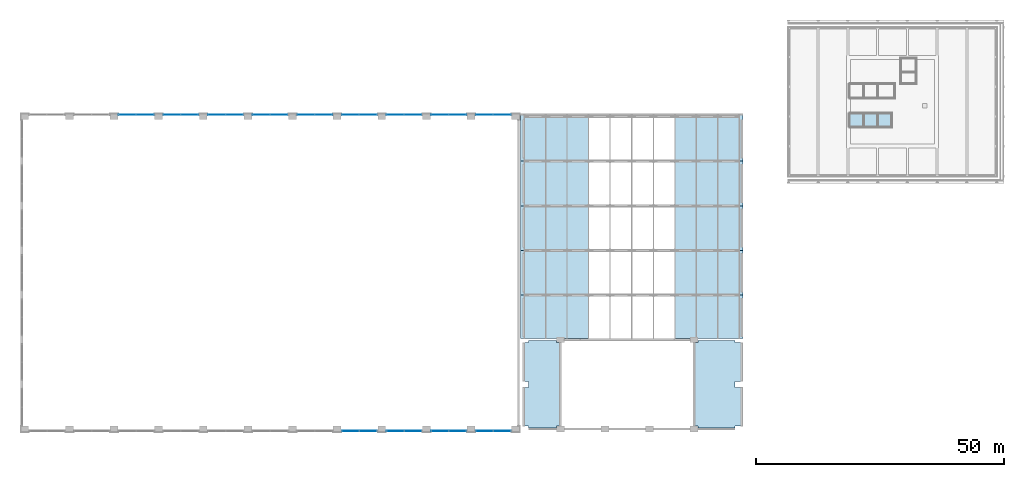
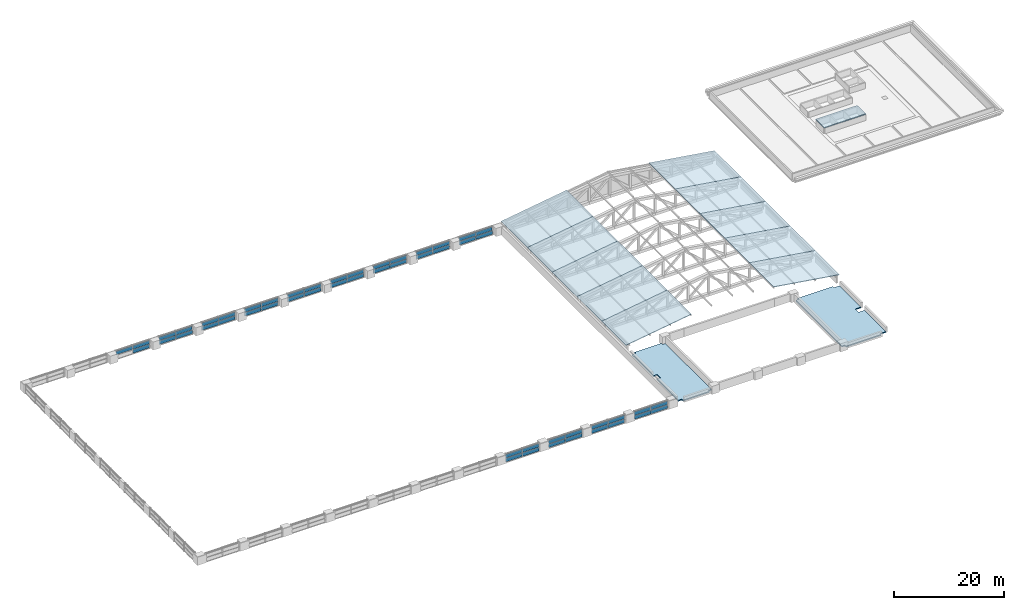
# One storey, part 16 of 32: 51 plates, 13 slabs, 13 elements without a shape of their own.
"""IFC4 building model written with IfcOpenShell, lengths in metres."""

from ifc_helpers import new_model, si_unit, direction, frame, origin, origin_2d, place, context, subcontext, project, spatial, polyline, rectangle, outline, extrude, material, layer, layer_set, type_object, element, aggregate, save


model = new_model("IFC4")

# Units and contexts
model_context = context("Model", 3, precision=1e-05, world=origin(), true_north=direction((0.0, 1.0)))
body_context = subcontext(model_context, "Body", "Model", "MODEL_VIEW")
ifc_project = project(units=[si_unit("LENGTHUNIT", "METRE"), si_unit("AREAUNIT", "SQUARE_METRE"), si_unit("VOLUMEUNIT", "CUBIC_METRE"), si_unit("PLANEANGLEUNIT", "RADIAN"), si_unit("MASSUNIT", "GRAM", prefix="KILO")], contexts=[model_context])

# Site, building, storey
site_placement = place(None, origin())
site = spatial("IfcSite", under=ifc_project, at=site_placement, CompositionType="ELEMENT")
building_placement = place(site_placement, origin())
building = spatial("IfcBuilding", under=site, at=building_placement, Name="Aravalli Gate Trade Fair Centre", CompositionType="ELEMENT")
storey_placement = place(building_placement, frame((0.0, 0.0, 23.39990234375)))
storey = spatial("IfcBuildingStorey", under=building, at=storey_placement, Name="ROOF LEVEL 1", CompositionType="ELEMENT", Elevation=23.39990234375)

# Slabs
ifc_material_1 = material(Name="Steel E350 (350 MPa)", Category="steel")
ifc_layer_1 = layer(ifc_material_1, 0.1201171875)
ifc_layer_set_1 = layer_set([ifc_layer_1], Name="Steel E350 (350 MPa)")
slab_type_1 = type_object("IfcSlabType", Name="Congress roof cover panel 120", PredefinedType="ROOF", material=ifc_layer_set_1)
for number, where, z_axis, x_axis, name in (
    (1, (106.0, 64.199951171875, 2.106201171875), (-0.151030397671, 0.0, 0.988529118933), (0.988529118933, 0.0, 0.151030397671), "Roof cover panel 1.1"),
    (2, (137.0400390625, 64.199951171875, 4.20849609375), (0.151030397671, 0.0, 0.988529118933), (0.988529118933, 0.0, -0.151030397671), "Roof cover panel 1.4"),
):
    element("IfcSlab", number, at=place(storey_placement, frame(where, z_axis=z_axis, x_axis=x_axis)), inside=storey, type_object=slab_type_1, Name=name, PredefinedType="ROOF", context=body_context, shape_type="SweptSolid", body=[
        extrude(outline(polyline([(0.0, 0.0), (13.919680768201431, 0.0), (13.919680768201431, 8.800048828125002), (0.0, 8.800048828125002), (0.0, 0.0)])), origin(), (0.0, 0.0, -1.0), 0.1201171875),
    ])
for number, where, z_axis, x_axis, name in (
    (3, (106.0, 73.0, 2.106201171875), (-0.151030397671, 0.0, 0.988529118933), (0.988529118933, 0.0, 0.151030397671), "Roof cover panel 2.1"),
    (4, (137.0400390625, 73.0, 4.20849609375), (0.151030397671, 0.0, 0.988529118933), (0.988529118933, 0.0, -0.151030397671), "Roof cover panel 2.4"),
    (5, (106.0, 82.0, 2.106201171875), (-0.151030397671, 0.0, 0.988529118933), (0.988529118933, 0.0, 0.151030397671), "Roof cover panel 3.1"),
    (6, (137.0400390625, 82.0, 4.20849609375), (0.151030397671, 0.0, 0.988529118933), (0.988529118933, 0.0, -0.151030397671), "Roof cover panel 3.4"),
    (7, (106.0, 91.0, 2.106201171875), (-0.151030397671, 0.0, 0.988529118933), (0.988529118933, 0.0, 0.151030397671), "Roof cover panel 4.1"),
    (8, (137.0400390625, 91.0, 4.20849609375), (0.151030397671, 0.0, 0.988529118933), (0.988529118933, 0.0, -0.151030397671), "Roof cover panel 4.4"),
):
    element("IfcSlab", number, at=place(storey_placement, frame(where, z_axis=z_axis, x_axis=x_axis)), inside=storey, type_object=slab_type_1, Name=name, PredefinedType="ROOF", context=body_context, shape_type="SweptSolid", body=[
        extrude(outline(polyline([(0.0, 0.0), (13.919680768201431, 0.0), (13.919680768201431, 9.000000000000002), (0.0, 9.000000000000002), (0.0, 0.0)])), origin(), (0.0, 0.0, -1.0), 0.1201171875),
    ])
for number, where, z_axis, x_axis, name in (
    (9, (106.0, 100.0, 2.106201171875), (-0.151030397671, 0.0, 0.988529118933), (0.988529118933, 0.0, 0.151030397671), "Roof cover panel 5.1"),
    (10, (137.0400390625, 100.0, 4.20849609375), (0.151030397671, 0.0, 0.988529118933), (0.988529118933, 0.0, -0.151030397671), "Roof cover panel 5.4"),
):
    element("IfcSlab", number, at=place(storey_placement, frame(where, z_axis=z_axis, x_axis=x_axis)), inside=storey, type_object=slab_type_1, Name=name, PredefinedType="ROOF", context=body_context, shape_type="SweptSolid", body=[
        extrude(outline(polyline([(0.0, 0.0), (13.919680768201431, 0.0), (13.919680768201431, 9.60009765625), (0.0, 9.60009765625), (0.0, 0.0)])), origin(), (0.0, 0.0, -1.0), 0.1201171875),
    ])
ifc_material_2 = material(Name="Concrete M40", Category="concrete")
ifc_layer_2 = layer(ifc_material_2, 0.25)
ifc_layer_set_2 = layer_set([ifc_layer_2], Name="Concrete M40")
slab_type_2 = type_object("IfcSlabType", Name="Congress wing roof slab RC 250", PredefinedType="ROOF", material=ifc_layer_set_2)
slab_1_placement = place(storey_placement, origin())
element("IfcSlab", 11, at=slab_1_placement, inside=storey, type_object=slab_type_2, Name="Stage wing roof W", PredefinedType="ROOF", context=body_context, shape_type="SweptSolid", body=[
    extrude(outline(polyline([(113.800048828125, 46.60009765625), (113.199951171875, 46.60009765625), (113.199951171875, 46.199951171875), (107.60009765625, 46.199951171875), (107.60009765625, 46.60009765625), (106.800048828125, 46.60009765625), (106.800048828125, 54.39990234375), (107.60009765625, 54.39990234375), (107.60009765625, 55.60009765625), (106.800048828125, 55.60009765625), (106.800048828125, 63.39990234375), (107.60009765625, 63.39990234375), (107.60009765625, 63.800048828125), (113.199951171875, 63.800048828125), (113.199951171875, 63.39990234375), (113.800048828125, 63.39990234375), (113.800048828125, 46.60009765625)])), origin(), (0.0, 0.0, 1.0), 0.25),
])
slab_2_placement = place(storey_placement, origin())
element("IfcSlab", 12, at=slab_2_placement, inside=storey, type_object=slab_type_2, Name="Stage wing roof E", PredefinedType="ROOF", context=body_context, shape_type="SweptSolid", body=[
    extrude(outline(polyline([(150.39990234375, 46.60009765625), (149.199951171875, 46.60009765625), (149.199951171875, 46.199951171875), (141.800048828125, 46.199951171875), (141.800048828125, 46.60009765625), (141.199951171875, 46.60009765625), (141.199951171875, 63.39990234375), (141.800048828125, 63.39990234375), (141.800048828125, 63.800048828125), (149.199951171875, 63.800048828125), (149.199951171875, 63.39990234375), (150.39990234375, 63.39990234375), (150.39990234375, 55.60009765625), (149.199951171875, 55.60009765625), (149.199951171875, 54.39990234375), (150.39990234375, 54.39990234375), (150.39990234375, 46.60009765625)])), origin(), (0.0, 0.0, 1.0), 0.25),
])

# Curtain wall, plates
ifc_material_3 = material(Name="Aluminium, glass and louvre", Category="aluminium")
curtain_wall_type = type_object("IfcCurtainWallType", Name="Hall crown curtain wall 3000 module", PredefinedType="NOTDEFINED", material=ifc_material_3)
curtain_wall_1_placement = place(storey_placement, origin())
curtain_wall_1 = element("IfcCurtainWall", 13, at=curtain_wall_1_placement, inside=storey, type_object=curtain_wall_type, Name="Hall north crown curtain wall bay 3 ROOF LEVEL 1", PredefinedType="NOTDEFINED")
ifc_material_4 = material(Name="Glass, double glazed", Category="glass")
ifc_layer_3 = layer(ifc_material_4, 0.028076171875)
ifc_layer_set_3 = layer_set([ifc_layer_3], Name="Glass, double glazed")
plate_type_1 = type_object("IfcPlateType", Name="Hall curtain wall panel, glass 28", PredefinedType="CURTAIN_PANEL", material=ifc_layer_set_3)
plate_1_placement = place(storey_placement, frame((26.739990234375, 109.375, 0.93017578125), z_axis=(0.0, 0.0, 1.0), x_axis=(1.0, 0.0, 0.0)))
plate_1 = element("IfcPlate", 14, at=plate_1_placement, type_object=plate_type_1, Name="HCW1 panel 1.2", PredefinedType="CURTAIN_PANEL", context=body_context, shape_type="SweptSolid", body=[
    extrude(rectangle(XDim=3.4599609375, YDim=0.028076171875, at=origin_2d()), origin(), (0.0, 0.0, 1.0), 0.81005859375),
])
plate_2_placement = place(storey_placement, frame((30.260009765625, 109.375, 0.93017578125), z_axis=(0.0, 0.0, 1.0), x_axis=(1.0, 0.0, 0.0)))
plate_2 = element("IfcPlate", 15, at=plate_2_placement, type_object=plate_type_1, Name="HCW1 panel 2.2", PredefinedType="CURTAIN_PANEL", context=body_context, shape_type="SweptSolid", body=[
    extrude(rectangle(XDim=3.4599609375, YDim=0.028076171875, at=origin_2d()), origin(), (0.0, 0.0, 1.0), 0.81005859375),
])

curtain_wall_2_placement = place(storey_placement, origin())
curtain_wall_2 = element("IfcCurtainWall", 16, at=curtain_wall_2_placement, inside=storey, type_object=curtain_wall_type, Name="Hall north crown curtain wall bay 4 ROOF LEVEL 1", PredefinedType="NOTDEFINED")
plate_3_placement = place(storey_placement, frame((35.739990234375, 109.375, 0.93017578125), z_axis=(0.0, 0.0, 1.0), x_axis=(1.0, 0.0, 0.0)))
plate_3 = element("IfcPlate", 17, at=plate_3_placement, type_object=plate_type_1, Name="HCW1 panel 1.2", PredefinedType="CURTAIN_PANEL", context=body_context, shape_type="SweptSolid", body=[
    extrude(rectangle(XDim=3.4599609375, YDim=0.028076171875, at=origin_2d()), origin(), (0.0, 0.0, 1.0), 0.81005859375),
])
plate_4_placement = place(storey_placement, frame((39.260009765625, 109.375, 0.93017578125), z_axis=(0.0, 0.0, 1.0), x_axis=(1.0, 0.0, 0.0)))
plate_4 = element("IfcPlate", 18, at=plate_4_placement, type_object=plate_type_1, Name="HCW1 panel 2.2", PredefinedType="CURTAIN_PANEL", context=body_context, shape_type="SweptSolid", body=[
    extrude(rectangle(XDim=3.4599609375, YDim=0.028076171875, at=origin_2d()), origin(), (0.0, 0.0, 1.0), 0.81005859375),
])

curtain_wall_3_placement = place(storey_placement, origin())
curtain_wall_3 = element("IfcCurtainWall", 19, at=curtain_wall_3_placement, inside=storey, type_object=curtain_wall_type, Name="Hall north crown curtain wall bay 5 ROOF LEVEL 1", PredefinedType="NOTDEFINED")
plate_5_placement = place(storey_placement, frame((44.739990234375, 109.375, 0.93017578125), z_axis=(0.0, 0.0, 1.0), x_axis=(1.0, 0.0, 0.0)))
plate_5 = element("IfcPlate", 20, at=plate_5_placement, type_object=plate_type_1, Name="HCW1 panel 1.2", PredefinedType="CURTAIN_PANEL", context=body_context, shape_type="SweptSolid", body=[
    extrude(rectangle(XDim=3.4599609375, YDim=0.028076171875, at=origin_2d()), origin(), (0.0, 0.0, 1.0), 0.81005859375),
])
plate_6_placement = place(storey_placement, frame((48.260009765625, 109.375, 0.93017578125), z_axis=(0.0, 0.0, 1.0), x_axis=(1.0, 0.0, 0.0)))
plate_6 = element("IfcPlate", 21, at=plate_6_placement, type_object=plate_type_1, Name="HCW1 panel 2.2", PredefinedType="CURTAIN_PANEL", context=body_context, shape_type="SweptSolid", body=[
    extrude(rectangle(XDim=3.4599609375, YDim=0.028076171875, at=origin_2d()), origin(), (0.0, 0.0, 1.0), 0.81005859375),
])

curtain_wall_4_placement = place(storey_placement, origin())
curtain_wall_4 = element("IfcCurtainWall", 22, at=curtain_wall_4_placement, inside=storey, type_object=curtain_wall_type, Name="Hall north crown curtain wall bay 6 ROOF LEVEL 1", PredefinedType="NOTDEFINED")
plate_7_placement = place(storey_placement, frame((53.739990234375, 109.375, 0.93017578125), z_axis=(0.0, 0.0, 1.0), x_axis=(1.0, 0.0, 0.0)))
plate_7 = element("IfcPlate", 23, at=plate_7_placement, type_object=plate_type_1, Name="HCW1 panel 1.2", PredefinedType="CURTAIN_PANEL", context=body_context, shape_type="SweptSolid", body=[
    extrude(rectangle(XDim=3.4599609375, YDim=0.028076171875, at=origin_2d()), origin(), (0.0, 0.0, 1.0), 0.81005859375),
])
plate_8_placement = place(storey_placement, frame((57.260009765625, 109.375, 0.93017578125), z_axis=(0.0, 0.0, 1.0), x_axis=(1.0, 0.0, 0.0)))
plate_8 = element("IfcPlate", 24, at=plate_8_placement, type_object=plate_type_1, Name="HCW1 panel 2.2", PredefinedType="CURTAIN_PANEL", context=body_context, shape_type="SweptSolid", body=[
    extrude(rectangle(XDim=3.4599609375, YDim=0.028076171875, at=origin_2d()), origin(), (0.0, 0.0, 1.0), 0.81005859375),
])

curtain_wall_5_placement = place(storey_placement, origin())
curtain_wall_5 = element("IfcCurtainWall", 25, at=curtain_wall_5_placement, inside=storey, type_object=curtain_wall_type, Name="Hall north crown curtain wall bay 7 ROOF LEVEL 1", PredefinedType="NOTDEFINED")
plate_9_placement = place(storey_placement, frame((62.739990234375, 109.375, 0.93017578125), z_axis=(0.0, 0.0, 1.0), x_axis=(1.0, 0.0, 0.0)))
plate_9 = element("IfcPlate", 26, at=plate_9_placement, type_object=plate_type_1, Name="HCW1 panel 1.2", PredefinedType="CURTAIN_PANEL", context=body_context, shape_type="SweptSolid", body=[
    extrude(rectangle(XDim=3.4599609375, YDim=0.028076171875, at=origin_2d()), origin(), (0.0, 0.0, 1.0), 0.81005859375),
])
plate_10_placement = place(storey_placement, frame((66.260009765625, 109.375, 0.93017578125), z_axis=(0.0, 0.0, 1.0), x_axis=(1.0, 0.0, 0.0)))
plate_10 = element("IfcPlate", 27, at=plate_10_placement, type_object=plate_type_1, Name="HCW1 panel 2.2", PredefinedType="CURTAIN_PANEL", context=body_context, shape_type="SweptSolid", body=[
    extrude(rectangle(XDim=3.4599609375, YDim=0.028076171875, at=origin_2d()), origin(), (0.0, 0.0, 1.0), 0.81005859375),
])

curtain_wall_6_placement = place(storey_placement, origin())
curtain_wall_6 = element("IfcCurtainWall", 28, at=curtain_wall_6_placement, inside=storey, type_object=curtain_wall_type, Name="Hall south crown curtain wall bay 8 ROOF LEVEL 1", PredefinedType="NOTDEFINED")
plate_11_placement = place(storey_placement, frame((71.739990234375, 45.625, 0.93017578125), z_axis=(0.0, 0.0, 1.0), x_axis=(1.0, 0.0, 0.0)))
plate_11 = element("IfcPlate", 29, at=plate_11_placement, type_object=plate_type_1, Name="HCW1 panel 1.2", PredefinedType="CURTAIN_PANEL", context=body_context, shape_type="SweptSolid", body=[
    extrude(rectangle(XDim=3.4599609375, YDim=0.028076171875, at=origin_2d()), origin(), (0.0, 0.0, 1.0), 0.81005859375),
])
plate_12_placement = place(storey_placement, frame((75.260009765625, 45.625, 0.93017578125), z_axis=(0.0, 0.0, 1.0), x_axis=(1.0, 0.0, 0.0)))
plate_12 = element("IfcPlate", 30, at=plate_12_placement, type_object=plate_type_1, Name="HCW1 panel 2.2", PredefinedType="CURTAIN_PANEL", context=body_context, shape_type="SweptSolid", body=[
    extrude(rectangle(XDim=3.4599609375, YDim=0.028076171875, at=origin_2d()), origin(), (0.0, 0.0, 1.0), 0.81005859375),
])

curtain_wall_7_placement = place(storey_placement, origin())
curtain_wall_7 = element("IfcCurtainWall", 31, at=curtain_wall_7_placement, inside=storey, type_object=curtain_wall_type, Name="Hall north crown curtain wall bay 8 ROOF LEVEL 1", PredefinedType="NOTDEFINED")
plate_13_placement = place(storey_placement, frame((71.739990234375, 109.375, 0.93017578125), z_axis=(0.0, 0.0, 1.0), x_axis=(1.0, 0.0, 0.0)))
plate_13 = element("IfcPlate", 32, at=plate_13_placement, type_object=plate_type_1, Name="HCW1 panel 1.2", PredefinedType="CURTAIN_PANEL", context=body_context, shape_type="SweptSolid", body=[
    extrude(rectangle(XDim=3.4599609375, YDim=0.028076171875, at=origin_2d()), origin(), (0.0, 0.0, 1.0), 0.81005859375),
])
plate_14_placement = place(storey_placement, frame((75.260009765625, 109.375, 0.93017578125), z_axis=(0.0, 0.0, 1.0), x_axis=(1.0, 0.0, 0.0)))
plate_14 = element("IfcPlate", 33, at=plate_14_placement, type_object=plate_type_1, Name="HCW1 panel 2.2", PredefinedType="CURTAIN_PANEL", context=body_context, shape_type="SweptSolid", body=[
    extrude(rectangle(XDim=3.4599609375, YDim=0.028076171875, at=origin_2d()), origin(), (0.0, 0.0, 1.0), 0.81005859375),
])

curtain_wall_8_placement = place(storey_placement, origin())
curtain_wall_8 = element("IfcCurtainWall", 34, at=curtain_wall_8_placement, inside=storey, type_object=curtain_wall_type, Name="Hall south crown curtain wall bay 9 ROOF LEVEL 1", PredefinedType="NOTDEFINED")
plate_15_placement = place(storey_placement, frame((80.739990234375, 45.625, 0.93017578125), z_axis=(0.0, 0.0, 1.0), x_axis=(1.0, 0.0, 0.0)))
plate_15 = element("IfcPlate", 35, at=plate_15_placement, type_object=plate_type_1, Name="HCW1 panel 1.2", PredefinedType="CURTAIN_PANEL", context=body_context, shape_type="SweptSolid", body=[
    extrude(rectangle(XDim=3.4599609375, YDim=0.028076171875, at=origin_2d()), origin(), (0.0, 0.0, 1.0), 0.81005859375),
])
plate_16_placement = place(storey_placement, frame((84.260009765625, 45.625, 0.93017578125), z_axis=(0.0, 0.0, 1.0), x_axis=(1.0, 0.0, 0.0)))
plate_16 = element("IfcPlate", 36, at=plate_16_placement, type_object=plate_type_1, Name="HCW1 panel 2.2", PredefinedType="CURTAIN_PANEL", context=body_context, shape_type="SweptSolid", body=[
    extrude(rectangle(XDim=3.4599609375, YDim=0.028076171875, at=origin_2d()), origin(), (0.0, 0.0, 1.0), 0.81005859375),
])

curtain_wall_9_placement = place(storey_placement, origin())
curtain_wall_9 = element("IfcCurtainWall", 37, at=curtain_wall_9_placement, inside=storey, type_object=curtain_wall_type, Name="Hall north crown curtain wall bay 9 ROOF LEVEL 1", PredefinedType="NOTDEFINED")
plate_17_placement = place(storey_placement, frame((80.739990234375, 109.375, 0.93017578125), z_axis=(0.0, 0.0, 1.0), x_axis=(1.0, 0.0, 0.0)))
plate_17 = element("IfcPlate", 38, at=plate_17_placement, type_object=plate_type_1, Name="HCW1 panel 1.2", PredefinedType="CURTAIN_PANEL", context=body_context, shape_type="SweptSolid", body=[
    extrude(rectangle(XDim=3.4599609375, YDim=0.028076171875, at=origin_2d()), origin(), (0.0, 0.0, 1.0), 0.81005859375),
])
plate_18_placement = place(storey_placement, frame((84.260009765625, 109.375, 0.93017578125), z_axis=(0.0, 0.0, 1.0), x_axis=(1.0, 0.0, 0.0)))
plate_18 = element("IfcPlate", 39, at=plate_18_placement, type_object=plate_type_1, Name="HCW1 panel 2.2", PredefinedType="CURTAIN_PANEL", context=body_context, shape_type="SweptSolid", body=[
    extrude(rectangle(XDim=3.4599609375, YDim=0.028076171875, at=origin_2d()), origin(), (0.0, 0.0, 1.0), 0.81005859375),
])

curtain_wall_10_placement = place(storey_placement, origin())
curtain_wall_10 = element("IfcCurtainWall", 40, at=curtain_wall_10_placement, inside=storey, type_object=curtain_wall_type, Name="Hall south crown curtain wall bay 10 ROOF LEVEL 1", PredefinedType="NOTDEFINED")
plate_19_placement = place(storey_placement, frame((89.739990234375, 45.625, 0.93017578125), z_axis=(0.0, 0.0, 1.0), x_axis=(1.0, 0.0, 0.0)))
plate_19 = element("IfcPlate", 41, at=plate_19_placement, type_object=plate_type_1, Name="HCW1 panel 1.2", PredefinedType="CURTAIN_PANEL", context=body_context, shape_type="SweptSolid", body=[
    extrude(rectangle(XDim=3.4599609375, YDim=0.028076171875, at=origin_2d()), origin(), (0.0, 0.0, 1.0), 0.81005859375),
])
plate_20_placement = place(storey_placement, frame((93.260009765625, 45.625, 0.93017578125), z_axis=(0.0, 0.0, 1.0), x_axis=(1.0, 0.0, 0.0)))
plate_20 = element("IfcPlate", 42, at=plate_20_placement, type_object=plate_type_1, Name="HCW1 panel 2.2", PredefinedType="CURTAIN_PANEL", context=body_context, shape_type="SweptSolid", body=[
    extrude(rectangle(XDim=3.4599609375, YDim=0.028076171875, at=origin_2d()), origin(), (0.0, 0.0, 1.0), 0.81005859375),
])

curtain_wall_11_placement = place(storey_placement, origin())
curtain_wall_11 = element("IfcCurtainWall", 43, at=curtain_wall_11_placement, inside=storey, type_object=curtain_wall_type, Name="Hall north crown curtain wall bay 10 ROOF LEVEL 1", PredefinedType="NOTDEFINED")
plate_21_placement = place(storey_placement, frame((89.739990234375, 109.375, 0.93017578125), z_axis=(0.0, 0.0, 1.0), x_axis=(1.0, 0.0, 0.0)))
plate_21 = element("IfcPlate", 44, at=plate_21_placement, type_object=plate_type_1, Name="HCW1 panel 1.2", PredefinedType="CURTAIN_PANEL", context=body_context, shape_type="SweptSolid", body=[
    extrude(rectangle(XDim=3.4599609375, YDim=0.028076171875, at=origin_2d()), origin(), (0.0, 0.0, 1.0), 0.81005859375),
])
plate_22_placement = place(storey_placement, frame((93.260009765625, 109.375, 0.93017578125), z_axis=(0.0, 0.0, 1.0), x_axis=(1.0, 0.0, 0.0)))
plate_22 = element("IfcPlate", 45, at=plate_22_placement, type_object=plate_type_1, Name="HCW1 panel 2.2", PredefinedType="CURTAIN_PANEL", context=body_context, shape_type="SweptSolid", body=[
    extrude(rectangle(XDim=3.4599609375, YDim=0.028076171875, at=origin_2d()), origin(), (0.0, 0.0, 1.0), 0.81005859375),
])

curtain_wall_12_placement = place(storey_placement, origin())
curtain_wall_12 = element("IfcCurtainWall", 46, at=curtain_wall_12_placement, inside=storey, type_object=curtain_wall_type, Name="Hall south crown curtain wall bay 11 ROOF LEVEL 1", PredefinedType="NOTDEFINED")
plate_23_placement = place(storey_placement, frame((98.739990234375, 45.625, 0.93017578125), z_axis=(0.0, 0.0, 1.0), x_axis=(1.0, 0.0, 0.0)))
plate_23 = element("IfcPlate", 47, at=plate_23_placement, type_object=plate_type_1, Name="HCW1 panel 1.2", PredefinedType="CURTAIN_PANEL", context=body_context, shape_type="SweptSolid", body=[
    extrude(rectangle(XDim=3.4599609375, YDim=0.028076171875, at=origin_2d()), origin(), (0.0, 0.0, 1.0), 0.81005859375),
])
plate_24_placement = place(storey_placement, frame((102.260009765625, 45.625, 0.93017578125), z_axis=(0.0, 0.0, 1.0), x_axis=(1.0, 0.0, 0.0)))
plate_24 = element("IfcPlate", 48, at=plate_24_placement, type_object=plate_type_1, Name="HCW1 panel 2.2", PredefinedType="CURTAIN_PANEL", context=body_context, shape_type="SweptSolid", body=[
    extrude(rectangle(XDim=3.4599609375, YDim=0.028076171875, at=origin_2d()), origin(), (0.0, 0.0, 1.0), 0.81005859375),
])

curtain_wall_13_placement = place(storey_placement, origin())
curtain_wall_13 = element("IfcCurtainWall", 49, at=curtain_wall_13_placement, inside=storey, type_object=curtain_wall_type, Name="Hall north crown curtain wall bay 11 ROOF LEVEL 1", PredefinedType="NOTDEFINED")
plate_25_placement = place(storey_placement, frame((98.739990234375, 109.375, 0.93017578125), z_axis=(0.0, 0.0, 1.0), x_axis=(1.0, 0.0, 0.0)))
plate_25 = element("IfcPlate", 50, at=plate_25_placement, type_object=plate_type_1, Name="HCW1 panel 1.2", PredefinedType="CURTAIN_PANEL", context=body_context, shape_type="SweptSolid", body=[
    extrude(rectangle(XDim=3.4599609375, YDim=0.028076171875, at=origin_2d()), origin(), (0.0, 0.0, 1.0), 0.81005859375),
])
plate_26_placement = place(storey_placement, frame((102.260009765625, 109.375, 0.93017578125), z_axis=(0.0, 0.0, 1.0), x_axis=(1.0, 0.0, 0.0)))
plate_26 = element("IfcPlate", 51, at=plate_26_placement, type_object=plate_type_1, Name="HCW1 panel 2.2", PredefinedType="CURTAIN_PANEL", context=body_context, shape_type="SweptSolid", body=[
    extrude(rectangle(XDim=3.4599609375, YDim=0.028076171875, at=origin_2d()), origin(), (0.0, 0.0, 1.0), 0.81005859375),
])

# Plate
ifc_material_5 = material(Name="Aluminium louvre blades", Category="aluminium")
ifc_layer_4 = layer(ifc_material_5, 0.06005859375)
ifc_layer_set_4 = layer_set([ifc_layer_4], Name="Aluminium louvre blades")
plate_type_2 = type_object("IfcPlateType", Name="Hall curtain wall panel, louvre 60", PredefinedType="CURTAIN_PANEL", material=ifc_layer_set_4)
plate_27_placement = place(storey_placement, frame((30.260009765625, 109.375, 0.06005859375), z_axis=(0.0, 0.0, 1.0), x_axis=(1.0, 0.0, 0.0)))
plate_27 = element("IfcPlate", 52, at=plate_27_placement, type_object=plate_type_2, Name="HCW1 panel 2.1", PredefinedType="CURTAIN_PANEL", context=body_context, shape_type="SweptSolid", body=[
    extrude(rectangle(XDim=3.4599609375, YDim=0.06005859375, at=origin_2d()), origin(), (0.0, 0.0, 1.0), 0.81005859375),
])

aggregate(curtain_wall_1, [plate_1, plate_27, plate_2])

plate_28_placement = place(storey_placement, frame((35.739990234375, 109.375, 0.06005859375), z_axis=(0.0, 0.0, 1.0), x_axis=(1.0, 0.0, 0.0)))
plate_28 = element("IfcPlate", 53, at=plate_28_placement, type_object=plate_type_2, Name="HCW1 panel 1.1", PredefinedType="CURTAIN_PANEL", context=body_context, shape_type="SweptSolid", body=[
    extrude(rectangle(XDim=3.4599609375, YDim=0.06005859375, at=origin_2d()), origin(), (0.0, 0.0, 1.0), 0.81005859375),
])

plate_29_placement = place(storey_placement, frame((39.260009765625, 109.375, 0.06005859375), z_axis=(0.0, 0.0, 1.0), x_axis=(1.0, 0.0, 0.0)))
plate_29 = element("IfcPlate", 54, at=plate_29_placement, type_object=plate_type_2, Name="HCW1 panel 2.1", PredefinedType="CURTAIN_PANEL", context=body_context, shape_type="SweptSolid", body=[
    extrude(rectangle(XDim=3.4599609375, YDim=0.06005859375, at=origin_2d()), origin(), (0.0, 0.0, 1.0), 0.81005859375),
])

aggregate(curtain_wall_2, [plate_28, plate_3, plate_29, plate_4])

plate_30_placement = place(storey_placement, frame((44.739990234375, 109.375, 0.06005859375), z_axis=(0.0, 0.0, 1.0), x_axis=(1.0, 0.0, 0.0)))
plate_30 = element("IfcPlate", 55, at=plate_30_placement, type_object=plate_type_2, Name="HCW1 panel 1.1", PredefinedType="CURTAIN_PANEL", context=body_context, shape_type="SweptSolid", body=[
    extrude(rectangle(XDim=3.4599609375, YDim=0.06005859375, at=origin_2d()), origin(), (0.0, 0.0, 1.0), 0.81005859375),
])

plate_31_placement = place(storey_placement, frame((48.260009765625, 109.375, 0.06005859375), z_axis=(0.0, 0.0, 1.0), x_axis=(1.0, 0.0, 0.0)))
plate_31 = element("IfcPlate", 56, at=plate_31_placement, type_object=plate_type_2, Name="HCW1 panel 2.1", PredefinedType="CURTAIN_PANEL", context=body_context, shape_type="SweptSolid", body=[
    extrude(rectangle(XDim=3.4599609375, YDim=0.06005859375, at=origin_2d()), origin(), (0.0, 0.0, 1.0), 0.81005859375),
])

aggregate(curtain_wall_3, [plate_30, plate_5, plate_31, plate_6])

plate_32_placement = place(storey_placement, frame((53.739990234375, 109.375, 0.06005859375), z_axis=(0.0, 0.0, 1.0), x_axis=(1.0, 0.0, 0.0)))
plate_32 = element("IfcPlate", 57, at=plate_32_placement, type_object=plate_type_2, Name="HCW1 panel 1.1", PredefinedType="CURTAIN_PANEL", context=body_context, shape_type="SweptSolid", body=[
    extrude(rectangle(XDim=3.4599609375, YDim=0.06005859375, at=origin_2d()), origin(), (0.0, 0.0, 1.0), 0.81005859375),
])

plate_33_placement = place(storey_placement, frame((57.260009765625, 109.375, 0.06005859375), z_axis=(0.0, 0.0, 1.0), x_axis=(1.0, 0.0, 0.0)))
plate_33 = element("IfcPlate", 58, at=plate_33_placement, type_object=plate_type_2, Name="HCW1 panel 2.1", PredefinedType="CURTAIN_PANEL", context=body_context, shape_type="SweptSolid", body=[
    extrude(rectangle(XDim=3.4599609375, YDim=0.06005859375, at=origin_2d()), origin(), (0.0, 0.0, 1.0), 0.81005859375),
])

aggregate(curtain_wall_4, [plate_32, plate_7, plate_33, plate_8])

plate_34_placement = place(storey_placement, frame((62.739990234375, 109.375, 0.06005859375), z_axis=(0.0, 0.0, 1.0), x_axis=(1.0, 0.0, 0.0)))
plate_34 = element("IfcPlate", 59, at=plate_34_placement, type_object=plate_type_2, Name="HCW1 panel 1.1", PredefinedType="CURTAIN_PANEL", context=body_context, shape_type="SweptSolid", body=[
    extrude(rectangle(XDim=3.4599609375, YDim=0.06005859375, at=origin_2d()), origin(), (0.0, 0.0, 1.0), 0.81005859375),
])

plate_35_placement = place(storey_placement, frame((66.260009765625, 109.375, 0.06005859375), z_axis=(0.0, 0.0, 1.0), x_axis=(1.0, 0.0, 0.0)))
plate_35 = element("IfcPlate", 60, at=plate_35_placement, type_object=plate_type_2, Name="HCW1 panel 2.1", PredefinedType="CURTAIN_PANEL", context=body_context, shape_type="SweptSolid", body=[
    extrude(rectangle(XDim=3.4599609375, YDim=0.06005859375, at=origin_2d()), origin(), (0.0, 0.0, 1.0), 0.81005859375),
])

aggregate(curtain_wall_5, [plate_34, plate_9, plate_35, plate_10])

plate_36_placement = place(storey_placement, frame((71.739990234375, 45.625, 0.06005859375), z_axis=(0.0, 0.0, 1.0), x_axis=(1.0, 0.0, 0.0)))
plate_36 = element("IfcPlate", 61, at=plate_36_placement, type_object=plate_type_2, Name="HCW1 panel 1.1", PredefinedType="CURTAIN_PANEL", context=body_context, shape_type="SweptSolid", body=[
    extrude(rectangle(XDim=3.4599609375, YDim=0.06005859375, at=origin_2d()), origin(), (0.0, 0.0, 1.0), 0.81005859375),
])

plate_37_placement = place(storey_placement, frame((75.260009765625, 45.625, 0.06005859375), z_axis=(0.0, 0.0, 1.0), x_axis=(1.0, 0.0, 0.0)))
plate_37 = element("IfcPlate", 62, at=plate_37_placement, type_object=plate_type_2, Name="HCW1 panel 2.1", PredefinedType="CURTAIN_PANEL", context=body_context, shape_type="SweptSolid", body=[
    extrude(rectangle(XDim=3.4599609375, YDim=0.06005859375, at=origin_2d()), origin(), (0.0, 0.0, 1.0), 0.81005859375),
])

aggregate(curtain_wall_6, [plate_36, plate_11, plate_37, plate_12])

plate_38_placement = place(storey_placement, frame((71.739990234375, 109.375, 0.06005859375), z_axis=(0.0, 0.0, 1.0), x_axis=(1.0, 0.0, 0.0)))
plate_38 = element("IfcPlate", 63, at=plate_38_placement, type_object=plate_type_2, Name="HCW1 panel 1.1", PredefinedType="CURTAIN_PANEL", context=body_context, shape_type="SweptSolid", body=[
    extrude(rectangle(XDim=3.4599609375, YDim=0.06005859375, at=origin_2d()), origin(), (0.0, 0.0, 1.0), 0.81005859375),
])

plate_39_placement = place(storey_placement, frame((75.260009765625, 109.375, 0.06005859375), z_axis=(0.0, 0.0, 1.0), x_axis=(1.0, 0.0, 0.0)))
plate_39 = element("IfcPlate", 64, at=plate_39_placement, type_object=plate_type_2, Name="HCW1 panel 2.1", PredefinedType="CURTAIN_PANEL", context=body_context, shape_type="SweptSolid", body=[
    extrude(rectangle(XDim=3.4599609375, YDim=0.06005859375, at=origin_2d()), origin(), (0.0, 0.0, 1.0), 0.81005859375),
])

aggregate(curtain_wall_7, [plate_38, plate_13, plate_39, plate_14])

plate_40_placement = place(storey_placement, frame((80.739990234375, 45.625, 0.06005859375), z_axis=(0.0, 0.0, 1.0), x_axis=(1.0, 0.0, 0.0)))
plate_40 = element("IfcPlate", 65, at=plate_40_placement, type_object=plate_type_2, Name="HCW1 panel 1.1", PredefinedType="CURTAIN_PANEL", context=body_context, shape_type="SweptSolid", body=[
    extrude(rectangle(XDim=3.4599609375, YDim=0.06005859375, at=origin_2d()), origin(), (0.0, 0.0, 1.0), 0.81005859375),
])

plate_41_placement = place(storey_placement, frame((84.260009765625, 45.625, 0.06005859375), z_axis=(0.0, 0.0, 1.0), x_axis=(1.0, 0.0, 0.0)))
plate_41 = element("IfcPlate", 66, at=plate_41_placement, type_object=plate_type_2, Name="HCW1 panel 2.1", PredefinedType="CURTAIN_PANEL", context=body_context, shape_type="SweptSolid", body=[
    extrude(rectangle(XDim=3.4599609375, YDim=0.06005859375, at=origin_2d()), origin(), (0.0, 0.0, 1.0), 0.81005859375),
])

aggregate(curtain_wall_8, [plate_40, plate_15, plate_41, plate_16])

plate_42_placement = place(storey_placement, frame((80.739990234375, 109.375, 0.06005859375), z_axis=(0.0, 0.0, 1.0), x_axis=(1.0, 0.0, 0.0)))
plate_42 = element("IfcPlate", 67, at=plate_42_placement, type_object=plate_type_2, Name="HCW1 panel 1.1", PredefinedType="CURTAIN_PANEL", context=body_context, shape_type="SweptSolid", body=[
    extrude(rectangle(XDim=3.4599609375, YDim=0.06005859375, at=origin_2d()), origin(), (0.0, 0.0, 1.0), 0.81005859375),
])

plate_43_placement = place(storey_placement, frame((84.260009765625, 109.375, 0.06005859375), z_axis=(0.0, 0.0, 1.0), x_axis=(1.0, 0.0, 0.0)))
plate_43 = element("IfcPlate", 68, at=plate_43_placement, type_object=plate_type_2, Name="HCW1 panel 2.1", PredefinedType="CURTAIN_PANEL", context=body_context, shape_type="SweptSolid", body=[
    extrude(rectangle(XDim=3.4599609375, YDim=0.06005859375, at=origin_2d()), origin(), (0.0, 0.0, 1.0), 0.81005859375),
])

aggregate(curtain_wall_9, [plate_42, plate_17, plate_43, plate_18])

plate_44_placement = place(storey_placement, frame((89.739990234375, 45.625, 0.06005859375), z_axis=(0.0, 0.0, 1.0), x_axis=(1.0, 0.0, 0.0)))
plate_44 = element("IfcPlate", 69, at=plate_44_placement, type_object=plate_type_2, Name="HCW1 panel 1.1", PredefinedType="CURTAIN_PANEL", context=body_context, shape_type="SweptSolid", body=[
    extrude(rectangle(XDim=3.4599609375, YDim=0.06005859375, at=origin_2d()), origin(), (0.0, 0.0, 1.0), 0.81005859375),
])

plate_45_placement = place(storey_placement, frame((93.260009765625, 45.625, 0.06005859375), z_axis=(0.0, 0.0, 1.0), x_axis=(1.0, 0.0, 0.0)))
plate_45 = element("IfcPlate", 70, at=plate_45_placement, type_object=plate_type_2, Name="HCW1 panel 2.1", PredefinedType="CURTAIN_PANEL", context=body_context, shape_type="SweptSolid", body=[
    extrude(rectangle(XDim=3.4599609375, YDim=0.06005859375, at=origin_2d()), origin(), (0.0, 0.0, 1.0), 0.81005859375),
])

aggregate(curtain_wall_10, [plate_44, plate_19, plate_45, plate_20])

plate_46_placement = place(storey_placement, frame((89.739990234375, 109.375, 0.06005859375), z_axis=(0.0, 0.0, 1.0), x_axis=(1.0, 0.0, 0.0)))
plate_46 = element("IfcPlate", 71, at=plate_46_placement, type_object=plate_type_2, Name="HCW1 panel 1.1", PredefinedType="CURTAIN_PANEL", context=body_context, shape_type="SweptSolid", body=[
    extrude(rectangle(XDim=3.4599609375, YDim=0.06005859375, at=origin_2d()), origin(), (0.0, 0.0, 1.0), 0.81005859375),
])

plate_47_placement = place(storey_placement, frame((93.260009765625, 109.375, 0.06005859375), z_axis=(0.0, 0.0, 1.0), x_axis=(1.0, 0.0, 0.0)))
plate_47 = element("IfcPlate", 72, at=plate_47_placement, type_object=plate_type_2, Name="HCW1 panel 2.1", PredefinedType="CURTAIN_PANEL", context=body_context, shape_type="SweptSolid", body=[
    extrude(rectangle(XDim=3.4599609375, YDim=0.06005859375, at=origin_2d()), origin(), (0.0, 0.0, 1.0), 0.81005859375),
])

aggregate(curtain_wall_11, [plate_46, plate_21, plate_47, plate_22])

plate_48_placement = place(storey_placement, frame((98.739990234375, 45.625, 0.06005859375), z_axis=(0.0, 0.0, 1.0), x_axis=(1.0, 0.0, 0.0)))
plate_48 = element("IfcPlate", 73, at=plate_48_placement, type_object=plate_type_2, Name="HCW1 panel 1.1", PredefinedType="CURTAIN_PANEL", context=body_context, shape_type="SweptSolid", body=[
    extrude(rectangle(XDim=3.4599609375, YDim=0.06005859375, at=origin_2d()), origin(), (0.0, 0.0, 1.0), 0.81005859375),
])

plate_49_placement = place(storey_placement, frame((102.260009765625, 45.625, 0.06005859375), z_axis=(0.0, 0.0, 1.0), x_axis=(1.0, 0.0, 0.0)))
plate_49 = element("IfcPlate", 74, at=plate_49_placement, type_object=plate_type_2, Name="HCW1 panel 2.1", PredefinedType="CURTAIN_PANEL", context=body_context, shape_type="SweptSolid", body=[
    extrude(rectangle(XDim=3.4599609375, YDim=0.06005859375, at=origin_2d()), origin(), (0.0, 0.0, 1.0), 0.81005859375),
])

aggregate(curtain_wall_12, [plate_48, plate_23, plate_49, plate_24])

plate_50_placement = place(storey_placement, frame((98.739990234375, 109.375, 0.06005859375), z_axis=(0.0, 0.0, 1.0), x_axis=(1.0, 0.0, 0.0)))
plate_50 = element("IfcPlate", 75, at=plate_50_placement, type_object=plate_type_2, Name="HCW1 panel 1.1", PredefinedType="CURTAIN_PANEL", context=body_context, shape_type="SweptSolid", body=[
    extrude(rectangle(XDim=3.4599609375, YDim=0.06005859375, at=origin_2d()), origin(), (0.0, 0.0, 1.0), 0.81005859375),
])

plate_51_placement = place(storey_placement, frame((102.260009765625, 109.375, 0.06005859375), z_axis=(0.0, 0.0, 1.0), x_axis=(1.0, 0.0, 0.0)))
plate_51 = element("IfcPlate", 76, at=plate_51_placement, type_object=plate_type_2, Name="HCW1 panel 2.1", PredefinedType="CURTAIN_PANEL", context=body_context, shape_type="SweptSolid", body=[
    extrude(rectangle(XDim=3.4599609375, YDim=0.06005859375, at=origin_2d()), origin(), (0.0, 0.0, 1.0), 0.81005859375),
])

aggregate(curtain_wall_13, [plate_50, plate_25, plate_51, plate_26])

# Slab
ifc_material_6 = material(Name="Concrete M50", Category="concrete")
ifc_layer_5 = layer(ifc_material_6, 0.199951171875)
ifc_layer_set_5 = layer_set([ifc_layer_5], Name="Concrete M50")
slab_type_3 = type_object("IfcSlabType", Name="Wing overrun roof slab 200", PredefinedType="ROOF", material=ifc_layer_set_5)
slab_3_placement = place(storey_placement, frame((0.0, 0.0, 1.300048828125)))
element("IfcSlab", 77, at=slab_3_placement, inside=storey, type_object=slab_type_3, Name="Lift overrun roof slab S", PredefinedType="ROOF", context=body_context, shape_type="SweptSolid", body=[
    extrude(outline(polyline([(172.14990234375, 106.699951171875), (180.89990234375, 106.699951171875), (180.89990234375, 109.800048828125), (172.14990234375, 109.800048828125), (172.14990234375, 106.699951171875)])), origin(), (0.0, 0.0, 1.0), 0.199951171875),
])

save(model, "model.ifc")
